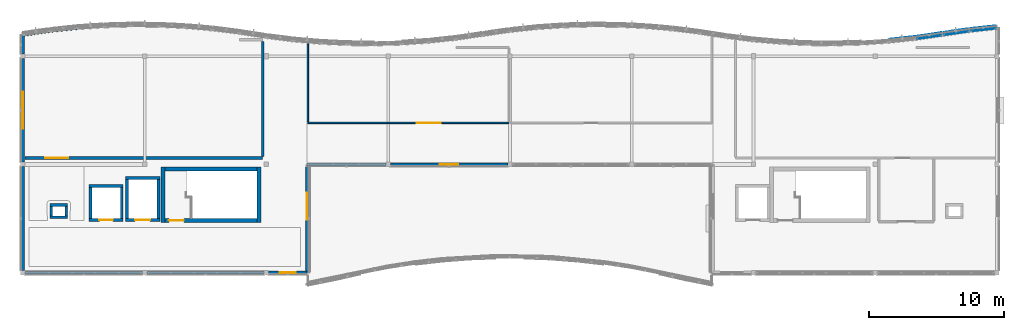
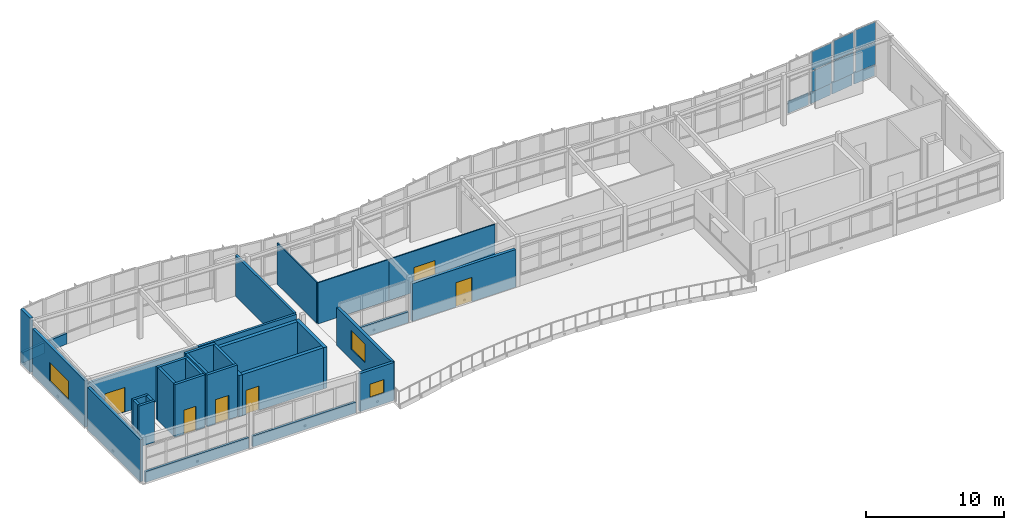
# One storey, part 13 of 20: 33 walls, 10 plates, 6 doors, 3 windows, 9 openings, 3 elements without a shape of their own.
"""IFC4 building model written with IfcOpenShell, lengths in metres."""

from ifc_helpers import new_model, si_unit, direction, frame, frame_2d, origin, origin_2d, place, context, subcontext, project, spatial, rectangle, extrude, material, layer, layer_set, type_object, element, fill, aggregate, save


model = new_model("IFC4")

# Units and contexts
model_context = context("Model", 3, precision=1e-05, world=origin(), true_north=direction((0.0, 1.0)))
body_context = subcontext(model_context, "Body", "Model", "MODEL_VIEW")
ifc_project = project(units=[si_unit("LENGTHUNIT", "METRE"), si_unit("AREAUNIT", "SQUARE_METRE"), si_unit("VOLUMEUNIT", "CUBIC_METRE"), si_unit("PLANEANGLEUNIT", "RADIAN"), si_unit("MASSUNIT", "GRAM", prefix="KILO")], contexts=[model_context])

# Site, building, storey
site_placement = place(None, origin())
site = spatial("IfcSite", under=ifc_project, at=site_placement, CompositionType="ELEMENT")
building_placement = place(site_placement, origin())
building = spatial("IfcBuilding", under=site, at=building_placement, Name="Tonlespit Floodbar School", CompositionType="ELEMENT")
storey_placement = place(building_placement, frame((0.0, 0.0, 20.10009765625)))
storey = spatial("IfcBuildingStorey", under=building, at=storey_placement, Name="L05", CompositionType="ELEMENT", Elevation=20.10009765625)

# Curtain wall, plates
ifc_material_1 = material(Name="Anodised Aluminium", Category="aluminium")
ifc_layer_1 = layer(ifc_material_1, 0.159912109375)
ifc_layer_set_1 = layer_set([ifc_layer_1], Name="Anodised Aluminium")
curtain_wall_type_1 = type_object("IfcCurtainWallType", Name="CurtainWall_1950x3700", PredefinedType="NOTDEFINED", material=ifc_layer_set_1)
curtain_wall_1_placement = place(storey_placement, origin())
curtain_wall_1 = element("IfcCurtainWall", 1, at=curtain_wall_1_placement, inside=storey, type_object=curtain_wall_type_1, Name="L05 unitised curtain wall 0241", PredefinedType="NOTDEFINED")
ifc_material_2 = material(Name="Laminated Low-E Glass", Category="glass")
ifc_layer_2 = layer(ifc_material_2, 0.028076171875)
ifc_layer_set_2 = layer_set([ifc_layer_2], Name="Laminated Low-E Glass")
plate_type_1 = type_object("IfcPlateType", Name="CW_Panel_Glaz_28", PredefinedType="CURTAIN_PANEL", material=ifc_layer_set_2)
plate_1_placement = place(storey_placement, frame((111.0, 121.404296875, 1.01513671875), z_axis=(0.0, 0.0, 1.0), x_axis=(0.989541561858, 0.144248041079, 0.0)))
plate_1 = element("IfcPlate", 2, at=plate_1_placement, type_object=plate_type_1, Name="CW-22 panel 1.1", PredefinedType="CURTAIN_PANEL", context=body_context, shape_type="SweptSolid", body=[
    extrude(rectangle(XDim=1.81103515625, YDim=0.028076171875, at=origin_2d()), origin(), (0.0, 0.0, 1.0), 1.835205078125),
])
plate_2_placement = place(storey_placement, frame((111.0, 121.404296875, 2.915283203125), z_axis=(0.0, 0.0, 1.0), x_axis=(0.989541561858, 0.144248041079, 0.0)))
plate_2 = element("IfcPlate", 3, at=plate_2_placement, type_object=plate_type_1, Name="CW-22 panel 1.2", PredefinedType="CURTAIN_PANEL", context=body_context, shape_type="SweptSolid", body=[
    extrude(rectangle(XDim=1.81103515625, YDim=0.028076171875, at=origin_2d()), origin(), (0.0, 0.0, 1.0), 1.6865234375),
])
aggregate(curtain_wall_1, [plate_1, plate_2])

ifc_layer_3 = layer(ifc_material_1, 0.159912109375)
ifc_layer_set_3 = layer_set([ifc_layer_3], Name="Anodised Aluminium")
curtain_wall_type_2 = type_object("IfcCurtainWallType", Name="CurtainWall_1950x3800", PredefinedType="NOTDEFINED", material=ifc_layer_set_3)
curtain_wall_2_placement = place(storey_placement, origin())
curtain_wall_2 = element("IfcCurtainWall", 4, at=curtain_wall_2_placement, inside=storey, type_object=curtain_wall_type_2, Name="L05 unitised curtain wall 0242", PredefinedType="NOTDEFINED")
ifc_layer_4 = layer(ifc_material_2, 0.031982421875)
ifc_layer_set_4 = layer_set([ifc_layer_4], Name="Laminated Low-E Glass")
plate_type_2 = type_object("IfcPlateType", Name="CW_Panel_Glaz_32", PredefinedType="CURTAIN_PANEL", material=ifc_layer_set_4)
plate_3_placement = place(storey_placement, frame((113.0, 121.69580078125, 1.014892578125), z_axis=(0.0, 0.0, 1.0), x_axis=(0.989541561858, 0.144248041079, 0.0)))
plate_3 = element("IfcPlate", 5, at=plate_3_placement, type_object=plate_type_2, Name="CW-10 panel 1.1", PredefinedType="CURTAIN_PANEL", context=body_context, shape_type="SweptSolid", body=[
    extrude(rectangle(XDim=1.81103515625, YDim=0.031982421875, at=origin_2d()), origin(), (0.0, 0.0, 1.0), 1.8798828125),
])
plate_4_placement = place(storey_placement, frame((113.0, 121.69580078125, 2.9599609375), z_axis=(0.0, 0.0, 1.0), x_axis=(0.989541561858, 0.144248041079, 0.0)))
plate_4 = element("IfcPlate", 6, at=plate_4_placement, type_object=plate_type_2, Name="CW-10 panel 1.2", PredefinedType="CURTAIN_PANEL", context=body_context, shape_type="SweptSolid", body=[
    extrude(rectangle(XDim=1.81103515625, YDim=0.031982421875, at=origin_2d()), origin(), (0.0, 0.0, 1.0), 1.727783203125),
])
aggregate(curtain_wall_2, [plate_3, plate_4])

ifc_layer_5 = layer(ifc_material_1, 0.159912109375)
ifc_layer_set_5 = layer_set([ifc_layer_5], Name="Anodised Aluminium")
curtain_wall_type_3 = type_object("IfcCurtainWallType", Name="CurtainWall_1950x3900", PredefinedType="NOTDEFINED", material=ifc_layer_set_5)
curtain_wall_3_placement = place(storey_placement, origin())
curtain_wall_3 = element("IfcCurtainWall", 7, at=curtain_wall_3_placement, inside=storey, type_object=curtain_wall_type_3, Name="L05 unitised curtain wall 0243", PredefinedType="NOTDEFINED")
ifc_layer_6 = layer(ifc_material_2, 0.035888671875)
ifc_layer_set_6 = layer_set([ifc_layer_6], Name="Laminated Low-E Glass")
plate_type_3 = type_object("IfcPlateType", Name="CW_Panel_Glaz_36", PredefinedType="CURTAIN_PANEL", material=ifc_layer_set_6)
plate_5_placement = place(storey_placement, frame((115.0, 121.947998046875, 1.014892578125), z_axis=(0.0, 0.0, 1.0), x_axis=(0.994388797288, 0.105787143968, 0.0)))
plate_5 = element("IfcPlate", 8, at=plate_5_placement, type_object=plate_type_3, Name="CW-27 panel 1.1", PredefinedType="CURTAIN_PANEL", context=body_context, shape_type="SweptSolid", body=[
    extrude(rectangle(XDim=1.80126953125, YDim=0.035888671875, at=origin_2d()), origin(), (0.0, 0.0, 1.0), 1.9248046875),
])
plate_6_placement = place(storey_placement, frame((115.0, 121.947998046875, 3.004638671875), z_axis=(0.0, 0.0, 1.0), x_axis=(0.994388797288, 0.105787143968, 0.0)))
plate_6 = element("IfcPlate", 9, at=plate_6_placement, type_object=plate_type_3, Name="CW-27 panel 1.2", PredefinedType="CURTAIN_PANEL", context=body_context, shape_type="SweptSolid", body=[
    extrude(rectangle(XDim=1.80126953125, YDim=0.035888671875, at=origin_2d()), origin(), (0.0, 0.0, 1.0), 1.76904296875),
])
aggregate(curtain_wall_3, [plate_5, plate_6])

# Plates
ifc_material_3 = material(Name="White Architectural Aluminium", Category="aluminium")
ifc_layer_7 = layer(ifc_material_3, 0.06494140625)
ifc_layer_set_7 = layer_set([ifc_layer_7], Name="White Architectural Aluminium")
plate_type_4 = type_object("IfcPlateType", Name="FacadeRibbon_White_65", PredefinedType="SHEET", material=ifc_layer_set_7)
plate_7_placement = place(storey_placement, frame((108.980712890625, 121.3330078125, -0.1201171875), z_axis=(0.0, 0.0, 1.0), x_axis=(0.99439234017, 0.105753835922, 0.0)))
element("IfcPlate", 10, at=plate_7_placement, inside=storey, type_object=plate_type_4, Name="L05 flowing white street spandrel ribbon 0444", PredefinedType="SHEET", context=body_context, shape_type="SweptSolid", body=[
    extrude(rectangle(XDim=1.851318359375, YDim=0.06494140625, at=origin_2d()), origin(), (0.0, 0.0, 1.0), 1.070068359375),
])
for number, where, z_axis, x_axis, name in (
    (11, (110.9736328125, 121.584228515625, -0.1201171875), (0.0, 0.0, 1.0), (0.989537627347, 0.144275029245, 0.0), "L05 flowing white street spandrel ribbon 0446"),
    (12, (112.9736328125, 121.8759765625, -0.1201171875), (0.0, 0.0, 1.0), (0.989537627347, 0.144275029245, 0.0), "L05 flowing white street spandrel ribbon 0448"),
):
    element("IfcPlate", number, at=place(storey_placement, frame(where, z_axis=z_axis, x_axis=x_axis)), inside=storey, type_object=plate_type_4, Name=name, PredefinedType="SHEET", context=body_context, shape_type="SweptSolid", body=[
        extrude(rectangle(XDim=1.861083984375, YDim=0.06494140625, at=origin_2d()), origin(), (0.0, 0.0, 1.0), 1.070068359375),
    ])
plate_8_placement = place(storey_placement, frame((114.980712890625, 122.12890625, -0.1201171875), z_axis=(0.0, 0.0, 1.0), x_axis=(0.99439234017, 0.105753835922, 0.0)))
element("IfcPlate", 13, at=plate_8_placement, inside=storey, type_object=plate_type_4, Name="L05 flowing white street spandrel ribbon 0450", PredefinedType="SHEET", context=body_context, shape_type="SweptSolid", body=[
    extrude(rectangle(XDim=1.851318359375, YDim=0.06494140625, at=origin_2d()), origin(), (0.0, 0.0, 1.0), 1.070068359375),
])

# Walls
ifc_material_4 = material(Name="Concrete C40/50", Category="concrete")
ifc_layer_8 = layer(ifc_material_4, 0.300048828125)
ifc_layer_set_8 = layer_set([ifc_layer_8], Name="Concrete C40/50")
wall_type_1 = type_object("IfcWallType", Name="CoreWall_RC_300", PredefinedType="SHEAR", material=ifc_layer_set_8)
for number, where, z_axis, x_axis, name in (
    (14, (54.35009765625, 107.699951171875, 0.0), (0.0, 0.0, 1.0), (0.0, 1.0, 0.0), "L05 core C1 shear wall NEAR"),
    (15, (61.449951171875, 111.800048828125, 0.0), (0.0, 0.0, 1.0), (0.0, -1.0, 0.0), "L05 core C1 shear wall FAR"),
):
    element("IfcWall", number, at=place(storey_placement, frame(where, z_axis=z_axis, x_axis=x_axis)), inside=storey, type_object=wall_type_1, Name=name, PredefinedType="SHEAR", context=body_context, shape_type="SweptSolid", body=[
        extrude(rectangle(XDim=4.10009765625, YDim=0.300048828125, at=frame_2d((2.050048828125, 0.0))), origin(), (0.0, 0.0, 1.0), 3.65283203125),
    ])

# Wall, opening, door
wall_1_placement = place(storey_placement, frame((54.5, 107.85009765625, 0.0), z_axis=(0.0, 0.0, 1.0), x_axis=(1.0, 0.0, 0.0)))
wall_1 = element("IfcWall", 16, at=wall_1_placement, inside=storey, type_object=wall_type_1, Name="L05 core C1 shear wall LEFT", PredefinedType="SHEAR", context=body_context, shape_type="SweptSolid", body=[
    extrude(rectangle(XDim=6.800048828125, YDim=0.300048828125, at=frame_2d((3.39990234375, 0.0))), origin(), (0.0, 0.0, 1.0), 3.65283203125),
])
opening_1_placement = place(wall_1_placement, frame((0.300048828125, 0.0, 0.0)))
opening_1 = element("IfcOpeningElement", 17, at=opening_1_placement, cuts=wall_1, Name="Opening FD1-C1-L05", PredefinedType="OPENING", context=body_context, shape_type="SweptSolid", body=[
    extrude(rectangle(XDim=1.10009765625, YDim=2.14990234375, at=frame_2d((0.550048828125, 1.074951171875))), frame((0.0, 0.159912109375, 0.0), z_axis=(0.0, -1.0, 0.0), x_axis=(1.0, 0.0, 0.0)), (0.0, 0.0, 1.0), 0.320068359375),
])
ifc_material_5 = material(Name="Galvanised Steel", Category="steel")
door_type_1 = type_object("IfcDoorType", Name="FireDoor_Stair_1100x2150", OperationType="NOTDEFINED", PredefinedType="DOOR", material=ifc_material_5)
door_1_placement = place(opening_1_placement, origin())
door_1 = element("IfcDoor", 18, at=door_1_placement, inside=storey, type_object=door_type_1, Name="L05 stair ST-C1 fire door", OperationType="SINGLE_SWING_RIGHT", OverallHeight=2.14990234375, OverallWidth=1.10009765625, PredefinedType="DOOR", context=body_context, shape_type="SweptSolid", body=[
    extrude(rectangle(XDim=1.10009765625, YDim=2.14990234375, at=frame_2d((0.550048828125, 1.074951171875))), frame((0.0, 0.02490234375, 0.0), z_axis=(0.0, -1.0, 0.0), x_axis=(1.0, 0.0, 0.0)), (0.0, 0.0, 1.0), 0.050048828125),
])
fill(opening_1, door_1)

# Wall
wall_2_placement = place(storey_placement, frame((61.300048828125, 111.64990234375, 0.0), z_axis=(0.0, 0.0, 1.0), x_axis=(-1.0, 0.0, 0.0)))
element("IfcWall", 19, at=wall_2_placement, inside=storey, type_object=wall_type_1, Name="L05 core C1 shear wall RGHT", PredefinedType="SHEAR", context=body_context, shape_type="SweptSolid", body=[
    extrude(rectangle(XDim=6.800048828125, YDim=0.300048828125, at=frame_2d((3.39990234375, 0.0))), origin(), (0.0, 0.0, 1.0), 3.65283203125),
])

# Wall, opening, door
ifc_material_6 = material(Name="Precast concrete C40/50", Category="concrete")
ifc_layer_9 = layer(ifc_material_6, 0.239990234375)
ifc_layer_set_9 = layer_set([ifc_layer_9], Name="Precast concrete C40/50")
wall_type_2 = type_object("IfcWallType", Name="ExtWall_Rainscreen_240", PredefinedType="SOLIDWALL", material=ifc_layer_set_9)
wall_3_placement = place(storey_placement, frame((79.840087890625, 112.0, 0.0), z_axis=(0.0, 0.0, 1.0), x_axis=(-1.0, 0.0, 0.0)))
wall_3 = element("IfcWall", 20, at=wall_3_placement, inside=storey, type_object=wall_type_2, Name="L05 external wall 0278", PredefinedType="SOLIDWALL", context=body_context, shape_type="SweptSolid", body=[
    extrude(rectangle(XDim=8.68017578125, YDim=0.239990234375, at=frame_2d((4.340087890625, 0.0))), origin(), (0.0, 0.0, 1.0), 3.3505859375),
])
opening_2_placement = place(wall_3_placement, frame((3.6650390625, 0.0, 0.0)))
opening_2 = element("IfcOpeningElement", 21, at=opening_2_placement, cuts=wall_3, Name="Opening D-TR-012", PredefinedType="OPENING", context=body_context, shape_type="SweptSolid", body=[
    extrude(rectangle(XDim=1.35009765625, YDim=2.14990234375, at=frame_2d((0.675048828125, 1.074951171875))), frame((0.0, 0.1298828125, 0.0), z_axis=(0.0, -1.0, 0.0), x_axis=(1.0, 0.0, 0.0)), (0.0, 0.0, 1.0), 0.260009765625),
])
door_type_2 = type_object("IfcDoorType", Name="ExtDoor_Terrace_1350x2150", OperationType="NOTDEFINED", PredefinedType="DOOR", material=ifc_material_1)
door_2_placement = place(opening_2_placement, origin())
door_2 = element("IfcDoor", 22, at=door_2_placement, inside=storey, type_object=door_type_2, Name="L05 exterior door D-TR-012", OperationType="SINGLE_SWING_RIGHT", OverallHeight=2.14990234375, OverallWidth=1.35009765625, PredefinedType="DOOR", context=body_context, shape_type="SweptSolid", body=[
    extrude(rectangle(XDim=1.35009765625, YDim=2.14990234375, at=frame_2d((0.675048828125, 1.074951171875))), frame((0.0, 0.02490234375, 0.0), z_axis=(0.0, -1.0, 0.0), x_axis=(1.0, 0.0, 0.0)), (0.0, 0.0, 1.0), 0.050048828125),
])
fill(opening_2, door_2)

# Wall, opening, window
wall_4_placement = place(storey_placement, frame((65.0, 112.0, 0.0), z_axis=(0.0, 0.0, 1.0), x_axis=(0.0, -1.0, 0.0)))
wall_4 = element("IfcWall", 23, at=wall_4_placement, inside=storey, type_object=wall_type_2, Name="L05 external wall 0280", PredefinedType="SOLIDWALL", context=body_context, shape_type="SweptSolid", body=[
    extrude(rectangle(XDim=8.0, YDim=0.239990234375, at=frame_2d((4.0, 0.0))), origin(), (0.0, 0.0, 1.0), 3.37158203125),
])
opening_3_placement = place(wall_4_placement, frame((2.10009765625, 0.0, 0.949951171875)))
opening_3 = element("IfcOpeningElement", 24, at=opening_3_placement, cuts=wall_4, Name="Opening W-L05-013", PredefinedType="OPENING", context=body_context, shape_type="SweptSolid", body=[
    extrude(rectangle(XDim=2.0, YDim=1.64990234375, at=frame_2d((1.0, 0.824951171875))), frame((0.0, 0.1298828125, 0.0), z_axis=(0.0, -1.0, 0.0), x_axis=(1.0, 0.0, 0.0)), (0.0, 0.0, 1.0), 0.260009765625),
])
ifc_material_7 = material(Name="Tempered Double Glazing", Category="glass")
window_type_1 = type_object("IfcWindowType", Name="Win_Mod_2000x1650", PartitioningType="DOUBLE_PANEL_VERTICAL", PredefinedType="WINDOW", material=ifc_material_7)
window_1_placement = place(opening_3_placement, origin())
window_1 = element("IfcWindow", 25, at=window_1_placement, inside=storey, type_object=window_type_1, Name="L05 window W-L05-013", OverallHeight=1.64990234375, OverallWidth=2.0, PartitioningType="DOUBLE_PANEL_VERTICAL", PredefinedType="WINDOW", context=body_context, shape_type="SweptSolid", body=[
    extrude(rectangle(XDim=2.0, YDim=1.64990234375, at=frame_2d((1.0, 0.824951171875))), frame((0.0, 0.030029296875, 0.0), z_axis=(0.0, -1.0, 0.0), x_axis=(1.0, 0.0, 0.0)), (0.0, 0.0, 1.0), 0.06005859375),
])
fill(opening_3, window_1)

wall_5_placement = place(storey_placement, frame((65.0, 104.0, 0.0), z_axis=(0.0, 0.0, 1.0), x_axis=(-1.0, 0.0, 0.0)))
wall_5 = element("IfcWall", 26, at=wall_5_placement, inside=storey, type_object=wall_type_2, Name="L05 external wall 0281", PredefinedType="SOLIDWALL", context=body_context, shape_type="SweptSolid", body=[
    extrude(rectangle(XDim=2.840087890625, YDim=0.239990234375, at=frame_2d((1.419921875, 0.0))), origin(), (0.0, 0.0, 1.0), 3.37158203125),
])
opening_4_placement = place(wall_5_placement, frame((0.820068359375, 0.0, 0.949951171875)))
opening_4 = element("IfcOpeningElement", 27, at=opening_4_placement, cuts=wall_5, Name="Opening W-L05-014", PredefinedType="OPENING", context=body_context, shape_type="SweptSolid", body=[
    extrude(rectangle(XDim=1.199951171875, YDim=1.199951171875, at=frame_2d((0.60009765625, 0.60009765625))), frame((0.0, 0.1298828125, 0.0), z_axis=(0.0, -1.0, 0.0), x_axis=(1.0, 0.0, 0.0)), (0.0, 0.0, 1.0), 0.260009765625),
])
window_type_2 = type_object("IfcWindowType", Name="Win_Mod_1200x1200", PartitioningType="SINGLE_PANEL", PredefinedType="WINDOW", material=ifc_material_7)
window_2_placement = place(opening_4_placement, origin())
window_2 = element("IfcWindow", 28, at=window_2_placement, inside=storey, type_object=window_type_2, Name="L05 window W-L05-014", OverallHeight=1.199951171875, OverallWidth=1.199951171875, PartitioningType="SINGLE_PANEL", PredefinedType="WINDOW", context=body_context, shape_type="SweptSolid", body=[
    extrude(rectangle(XDim=1.199951171875, YDim=1.199951171875, at=frame_2d((0.60009765625, 0.60009765625))), frame((0.0, 0.030029296875, 0.0), z_axis=(0.0, -1.0, 0.0), x_axis=(1.0, 0.0, 0.0)), (0.0, 0.0, 1.0), 0.06005859375),
])
fill(opening_4, window_2)

# Wall
wall_6_placement = place(storey_placement, frame((44.0, 104.159912109375, 0.0), z_axis=(0.0, 0.0, 1.0), x_axis=(0.0, 1.0, 0.0)))
element("IfcWall", 29, at=wall_6_placement, inside=storey, type_object=wall_type_2, Name="L05 external wall 0284", PredefinedType="SOLIDWALL", context=body_context, shape_type="SweptSolid", body=[
    extrude(rectangle(XDim=7.68017578125, YDim=0.239990234375, at=frame_2d((3.840087890625, 0.0))), origin(), (0.0, 0.0, 1.0), 3.73974609375),
])

# Wall, opening, window
wall_7_placement = place(storey_placement, frame((44.0, 112.159912109375, 0.0), z_axis=(0.0, 0.0, 1.0), x_axis=(0.0, 1.0, 0.0)))
wall_7 = element("IfcWall", 30, at=wall_7_placement, inside=storey, type_object=wall_type_2, Name="L05 external wall 0285", PredefinedType="SOLIDWALL", context=body_context, shape_type="SweptSolid", body=[
    extrude(rectangle(XDim=7.68017578125, YDim=0.239990234375, at=frame_2d((3.840087890625, 0.0))), origin(), (0.0, 0.0, 1.0), 4.0849609375),
])
opening_5_placement = place(wall_7_placement, frame((2.465087890625, 0.0, 0.949951171875)))
opening_5 = element("IfcOpeningElement", 31, at=opening_5_placement, cuts=wall_7, Name="Opening W-L05-016", PredefinedType="OPENING", context=body_context, shape_type="SweptSolid", body=[
    extrude(rectangle(XDim=2.75, YDim=1.64990234375, at=frame_2d((1.375, 0.824951171875))), frame((0.0, 0.1298828125, 0.0), z_axis=(0.0, -1.0, 0.0), x_axis=(1.0, 0.0, 0.0)), (0.0, 0.0, 1.0), 0.260009765625),
])
window_type_3 = type_object("IfcWindowType", Name="Win_Mod_2750x1650", PartitioningType="DOUBLE_PANEL_VERTICAL", PredefinedType="WINDOW", material=ifc_material_7)
window_3_placement = place(opening_5_placement, origin())
window_3 = element("IfcWindow", 32, at=window_3_placement, inside=storey, type_object=window_type_3, Name="L05 window W-L05-016", OverallHeight=1.64990234375, OverallWidth=2.75, PartitioningType="DOUBLE_PANEL_VERTICAL", PredefinedType="WINDOW", context=body_context, shape_type="SweptSolid", body=[
    extrude(rectangle(XDim=2.75, YDim=1.64990234375, at=frame_2d((1.375, 0.824951171875))), frame((0.0, 0.030029296875, 0.0), z_axis=(0.0, -1.0, 0.0), x_axis=(1.0, 0.0, 0.0)), (0.0, 0.0, 1.0), 0.06005859375),
])
fill(opening_5, window_3)

# Walls
wall_8_placement = place(storey_placement, frame((44.0, 120.159912109375, 0.0), z_axis=(0.0, 0.0, 1.0), x_axis=(0.0, 1.0, 0.0)))
element("IfcWall", 33, at=wall_8_placement, inside=storey, type_object=wall_type_2, Name="L05 external wall 0286", PredefinedType="SOLIDWALL", context=body_context, shape_type="SweptSolid", body=[
    extrude(rectangle(XDim=1.39013671875, YDim=0.239990234375, at=frame_2d((0.695068359375, 0.0))), origin(), (0.0, 0.0, 1.0), 4.8134765625),
])
ifc_material_8 = material(Name="White Architectural Precast concrete C40/50", Category="concrete")
ifc_layer_10 = layer(ifc_material_8, 0.199951171875)
ifc_layer_set_10 = layer_set([ifc_layer_10], Name="White Architectural Precast concrete C40/50")
wall_type_3 = type_object("IfcWallType", Name="ExtWall_Spandrel_White_200", PredefinedType="SOLIDWALL", material=ifc_layer_set_10)
wall_9_placement = place(storey_placement, frame((44.0, 121.550048828125, 0.0), z_axis=(0.0, 0.0, 1.0), x_axis=(0.989544477223, 0.144228040259, 0.0)))
element("IfcWall", 34, at=wall_9_placement, inside=storey, type_object=wall_type_3, Name="L05 spandrel wall 0236", PredefinedType="SOLIDWALL", context=body_context, shape_type="SweptSolid", body=[
    extrude(rectangle(XDim=2.021240234375, YDim=0.199951171875, at=frame_2d((1.0107421875, 0.0))), origin(), (0.0, 0.0, 1.0), 0.949951171875),
])
wall_10_placement = place(storey_placement, frame((46.0, 121.841552734375, 0.0), z_axis=(0.0, 0.0, 1.0), x_axis=(0.994395160059, 0.105727317433, 0.0)))
element("IfcWall", 35, at=wall_10_placement, inside=storey, type_object=wall_type_3, Name="L05 spandrel wall 0237", PredefinedType="SOLIDWALL", context=body_context, shape_type="SweptSolid", body=[
    extrude(rectangle(XDim=2.01123046875, YDim=0.199951171875, at=frame_2d((1.005615234375, 0.0))), origin(), (0.0, 0.0, 1.0), 0.949951171875),
])
wall_11_placement = place(storey_placement, frame((70.840087890625, 112.0, 0.0), z_axis=(0.0, 0.0, 1.0), x_axis=(-1.0, 0.0, 0.0)))
element("IfcWall", 36, at=wall_11_placement, inside=storey, type_object=wall_type_3, Name="L05 spandrel wall 0279", PredefinedType="SOLIDWALL", context=body_context, shape_type="SweptSolid", body=[
    extrude(rectangle(XDim=5.840087890625, YDim=0.199951171875, at=frame_2d((2.919921875, 0.0))), origin(), (0.0, 0.0, 1.0), 0.949951171875),
])
for number, where, z_axis, x_axis, name in (
    (37, (61.840087890625, 104.0, 0.0), (0.0, 0.0, 1.0), (-1.0, 0.0, 0.0), "L05 spandrel wall 0282"),
    (38, (52.840087890625, 104.0, 0.0), (0.0, 0.0, 1.0), (-1.0, 0.0, 0.0), "L05 spandrel wall 0283"),
):
    element("IfcWall", number, at=place(storey_placement, frame(where, z_axis=z_axis, x_axis=x_axis)), inside=storey, type_object=wall_type_3, Name=name, PredefinedType="SOLIDWALL", context=body_context, shape_type="SweptSolid", body=[
        extrude(rectangle(XDim=8.68017578125, YDim=0.199951171875, at=frame_2d((4.340087890625, 0.0))), origin(), (0.0, 0.0, 1.0), 0.949951171875),
    ])
ifc_layer_11 = layer(ifc_material_4, 0.199951171875)
ifc_layer_set_11 = layer_set([ifc_layer_11], Name="Concrete C40/50")
wall_type_4 = type_object("IfcWallType", Name="FireWall_Plant_200", PredefinedType="PARTITIONING", material=ifc_layer_set_11)
for number, where, z_axis, x_axis, name in (
    (39, (47.300048828125, 108.10009765625, 0.0), (0.0, 0.0, 1.0), (-1.0, 0.0, 0.0), "L05 service riser 01 wall S"),
    (40, (46.0, 109.0, 0.0), (0.0, 0.0, 1.0), (1.0, 0.0, 0.0), "L05 service riser 01 wall N"),
):
    element("IfcWall", number, at=place(storey_placement, frame(where, z_axis=z_axis, x_axis=x_axis)), inside=storey, type_object=wall_type_4, Name=name, PredefinedType="PARTITIONING", context=body_context, shape_type="SweptSolid", body=[
        extrude(rectangle(XDim=1.300048828125, YDim=0.199951171875, at=frame_2d((0.64990234375, 0.0))), origin(), (0.0, 0.0, 1.0), 3.64990234375),
    ])
for number, where, z_axis, x_axis, name in (
    (41, (46.10009765625, 108.199951171875, 0.0), (0.0, 0.0, 1.0), (0.0, 1.0, 0.0), "L05 service riser 01 wall W"),
    (42, (47.199951171875, 108.89990234375, 0.0), (0.0, 0.0, 1.0), (0.0, -1.0, 0.0), "L05 service riser 01 wall E"),
):
    element("IfcWall", number, at=place(storey_placement, frame(where, z_axis=z_axis, x_axis=x_axis)), inside=storey, type_object=wall_type_4, Name=name, PredefinedType="PARTITIONING", context=body_context, shape_type="SweptSolid", body=[
        extrude(rectangle(XDim=0.699951171875, YDim=0.199951171875, at=frame_2d((0.35009765625, 0.0))), origin(), (0.0, 0.0, 1.0), 3.64990234375),
    ])
ifc_material_9 = material(Name="Gypsum Plasterboard Partition")
ifc_layer_12 = layer(ifc_material_9, 0.10009765625)
ifc_layer_set_12 = layer_set([ifc_layer_12], Name="Gypsum Plasterboard Partition")
wall_type_5 = type_object("IfcWallType", Name="Partition_Gyp_100", PredefinedType="PARTITIONING", material=ifc_layer_set_12)
wall_12_placement = place(storey_placement, frame((65.070068359375, 115.070068359375, 0.0), z_axis=(0.0, 0.0, 1.0), x_axis=(1.0, 0.0, 0.0)))
element("IfcWall", 43, at=wall_12_placement, inside=storey, type_object=wall_type_5, Name="L05 partition wall 0134", PredefinedType="PARTITIONING", context=body_context, shape_type="SweptSolid", body=[
    extrude(rectangle(XDim=5.929931640625, YDim=0.10009765625, at=frame_2d((2.96484375, 0.0))), origin(), (0.0, 0.0, 1.0), 3.64990234375),
])

# Wall, opening, door
wall_13_placement = place(storey_placement, frame((71.0, 115.070068359375, 0.0), z_axis=(0.0, 0.0, 1.0), x_axis=(1.0, 0.0, 0.0)))
wall_13 = element("IfcWall", 44, at=wall_13_placement, inside=storey, type_object=wall_type_5, Name="L05 partition wall 0135", PredefinedType="PARTITIONING", context=body_context, shape_type="SweptSolid", body=[
    extrude(rectangle(XDim=8.929931640625, YDim=0.10009765625, at=frame_2d((4.46484375, 0.0))), origin(), (0.0, 0.0, 1.0), 3.64990234375),
])
opening_6_placement = place(wall_13_placement, frame((2.1201171875, 0.0, 0.0)))
opening_6 = element("IfcOpeningElement", 45, at=opening_6_placement, cuts=wall_13, Name="Opening D-L05-043", PredefinedType="OPENING", context=body_context, shape_type="SweptSolid", body=[
    extrude(rectangle(XDim=1.760009765625, YDim=2.199951171875, at=frame_2d((0.8798828125, 1.10009765625))), frame((0.0, 0.06005859375, 0.0), z_axis=(0.0, -1.0, 0.0), x_axis=(1.0, 0.0, 0.0)), (0.0, 0.0, 1.0), 0.1201171875),
])
ifc_material_10 = material(Name="Hardwood Timber", Category="wood")
door_type_3 = type_object("IfcDoorType", Name="IntDoor_1760x2200", OperationType="NOTDEFINED", PredefinedType="DOOR", material=ifc_material_10)
door_3_placement = place(opening_6_placement, origin())
door_3 = element("IfcDoor", 46, at=door_3_placement, inside=storey, type_object=door_type_3, Name="L05 interior door D-L05-043", OperationType="SINGLE_SWING_RIGHT", OverallHeight=2.199951171875, OverallWidth=1.760009765625, PredefinedType="DOOR", context=body_context, shape_type="SweptSolid", body=[
    extrude(rectangle(XDim=1.760009765625, YDim=2.199951171875, at=frame_2d((0.8798828125, 1.10009765625))), frame((0.0, 0.02490234375, 0.0), z_axis=(0.0, -1.0, 0.0), x_axis=(1.0, 0.0, 0.0)), (0.0, 0.0, 1.0), 0.050048828125),
])
fill(opening_6, door_3)

# Wall
wall_14_placement = place(storey_placement, frame((65.070068359375, 115.135009765625, 0.0), z_axis=(0.0, 0.0, 1.0), x_axis=(0.0, 1.0, 0.0)))
element("IfcWall", 47, at=wall_14_placement, inside=storey, type_object=wall_type_5, Name="L05 partition wall 0137", PredefinedType="PARTITIONING", context=body_context, shape_type="SweptSolid", body=[
    extrude(rectangle(XDim=5.772216796875, YDim=0.10009765625, at=frame_2d((2.88623046875, 0.0))), origin(), (0.0, 0.0, 1.0), 3.64990234375),
])

# Wall, opening, door
ifc_layer_13 = layer(ifc_material_9, 0.195068359375)
ifc_layer_set_13 = layer_set([ifc_layer_13], Name="Gypsum Plasterboard Partition")
wall_type_6 = type_object("IfcWallType", Name="Partition_Gyp_195", PredefinedType="PARTITIONING", material=ifc_layer_set_13)
wall_15_placement = place(storey_placement, frame((44.162109375, 112.469970703125, 0.0), z_axis=(0.0, 0.0, 1.0), x_axis=(1.0, 0.0, 0.0)))
wall_15 = element("IfcWall", 48, at=wall_15_placement, inside=storey, type_object=wall_type_6, Name="L05 partition wall 0130", PredefinedType="PARTITIONING", context=body_context, shape_type="SweptSolid", body=[
    extrude(rectangle(XDim=8.837890625, YDim=0.195068359375, at=frame_2d((4.4189453125, 0.0))), origin(), (0.0, 0.0, 1.0), 3.64990234375),
])
opening_7_placement = place(wall_15_placement, frame((1.5, 0.0, 0.0)))
opening_7 = element("IfcOpeningElement", 49, at=opening_7_placement, cuts=wall_15, Name="Opening D-L05-042", PredefinedType="OPENING", context=body_context, shape_type="SweptSolid", body=[
    extrude(rectangle(XDim=1.679931640625, YDim=2.199951171875, at=frame_2d((0.83984375, 1.10009765625))), frame((0.0, 0.107421875, 0.0), z_axis=(0.0, -1.0, 0.0), x_axis=(1.0, 0.0, 0.0)), (0.0, 0.0, 1.0), 0.215087890625),
])
door_type_4 = type_object("IfcDoorType", Name="IntDoor_1680x2200", OperationType="NOTDEFINED", PredefinedType="DOOR", material=ifc_material_10)
door_4_placement = place(opening_7_placement, origin())
door_4 = element("IfcDoor", 50, at=door_4_placement, inside=storey, type_object=door_type_4, Name="L05 interior door D-L05-042", OperationType="SINGLE_SWING_LEFT", OverallHeight=2.199951171875, OverallWidth=1.679931640625, PredefinedType="DOOR", context=body_context, shape_type="SweptSolid", body=[
    extrude(rectangle(XDim=1.679931640625, YDim=2.199951171875, at=frame_2d((0.83984375, 1.10009765625))), frame((0.0, 0.02490234375, 0.0), z_axis=(0.0, -1.0, 0.0), x_axis=(1.0, 0.0, 0.0)), (0.0, 0.0, 1.0), 0.050048828125),
])
fill(opening_7, door_4)

# Walls
wall_16_placement = place(storey_placement, frame((53.0, 112.469970703125, 0.0), z_axis=(0.0, 0.0, 1.0), x_axis=(1.0, 0.0, 0.0)))
element("IfcWall", 51, at=wall_16_placement, inside=storey, type_object=wall_type_6, Name="L05 partition wall 0131", PredefinedType="PARTITIONING", context=body_context, shape_type="SweptSolid", body=[
    extrude(rectangle(XDim=8.72998046875, YDim=0.195068359375, at=frame_2d((4.364990234375, 0.0))), origin(), (0.0, 0.0, 1.0), 3.64990234375),
])
wall_17_placement = place(storey_placement, frame((61.72998046875, 112.58251953125, 0.0), z_axis=(0.0, 0.0, 1.0), x_axis=(0.0, 1.0, 0.0)))
element("IfcWall", 52, at=wall_17_placement, inside=storey, type_object=wall_type_6, Name="L05 partition wall 0133", PredefinedType="PARTITIONING", context=body_context, shape_type="SweptSolid", body=[
    extrude(rectangle(XDim=8.51904296875, YDim=0.195068359375, at=frame_2d((4.259521484375, 0.0))), origin(), (0.0, 0.0, 1.0), 3.64990234375),
])

# Wall, opening, door
ifc_layer_14 = layer(ifc_material_4, 0.219970703125)
ifc_layer_set_14 = layer_set([ifc_layer_14], Name="Concrete C40/50")
wall_type_7 = type_object("IfcWallType", Name="ShaftWall_RC_220", PredefinedType="SHEAR", material=ifc_layer_set_14)
wall_18_placement = place(storey_placement, frame((54.1201171875, 107.889892578125, 0.0), z_axis=(0.0, 0.0, 1.0), x_axis=(-1.0, 0.0, 0.0)))
wall_18 = element("IfcWall", 53, at=wall_18_placement, inside=storey, type_object=wall_type_7, Name="L05 lift LF-FF1 shaft wall S", PredefinedType="SHEAR", context=body_context, shape_type="SweptSolid", body=[
    extrude(rectangle(XDim=2.5400390625, YDim=0.219970703125, at=frame_2d((1.27001953125, 0.0))), origin(), (0.0, 0.0, 1.0), 4.59130859375),
])
opening_8_placement = place(wall_18_placement, frame((0.719970703125, 0.0, 0.0)))
opening_8 = element("IfcOpeningElement", 54, at=opening_8_placement, cuts=wall_18, Name="Opening LD-LF-FF1-L05", PredefinedType="OPENING", context=body_context, shape_type="SweptSolid", body=[
    extrude(rectangle(XDim=1.10009765625, YDim=2.14990234375, at=frame_2d((0.550048828125, 1.074951171875))), frame((0.0, 0.119873046875, 0.0), z_axis=(0.0, -1.0, 0.0), x_axis=(1.0, 0.0, 0.0)), (0.0, 0.0, 1.0), 0.239990234375),
])
door_type_5 = type_object("IfcDoorType", Name="LiftDoor_FF_1100x2150", OperationType="DOUBLE_DOOR_SLIDING", PredefinedType="DOOR", material=ifc_material_5)
door_5_placement = place(opening_8_placement, origin())
door_5 = element("IfcDoor", 55, at=door_5_placement, inside=storey, type_object=door_type_5, Name="L05 lift LF-FF1 sliding landing door", OperationType="DOUBLE_DOOR_SLIDING", OverallHeight=2.14990234375, OverallWidth=1.10009765625, PredefinedType="DOOR", context=body_context, shape_type="SweptSolid", body=[
    extrude(rectangle(XDim=1.10009765625, YDim=2.14990234375, at=frame_2d((0.550048828125, 1.074951171875))), frame((0.0, 0.02490234375, 0.0), z_axis=(0.0, -1.0, 0.0), x_axis=(1.0, 0.0, 0.0)), (0.0, 0.0, 1.0), 0.050048828125),
])
fill(opening_8, door_5)

# Walls
wall_19_placement = place(storey_placement, frame((51.580078125, 111.010009765625, 0.0), z_axis=(0.0, 0.0, 1.0), x_axis=(1.0, 0.0, 0.0)))
element("IfcWall", 56, at=wall_19_placement, inside=storey, type_object=wall_type_7, Name="L05 lift LF-FF1 shaft wall N", PredefinedType="SHEAR", context=body_context, shape_type="SweptSolid", body=[
    extrude(rectangle(XDim=2.5400390625, YDim=0.219970703125, at=frame_2d((1.27001953125, 0.0))), origin(), (0.0, 0.0, 1.0), 4.59130859375),
])
for number, where, z_axis, x_axis, name in (
    (57, (51.68994140625, 108.0, 0.0), (0.0, 0.0, 1.0), (0.0, 1.0, 0.0), "L05 lift LF-FF1 shaft wall W"),
    (58, (54.010009765625, 110.89990234375, 0.0), (0.0, 0.0, 1.0), (0.0, -1.0, 0.0), "L05 lift LF-FF1 shaft wall E"),
):
    element("IfcWall", number, at=place(storey_placement, frame(where, z_axis=z_axis, x_axis=x_axis)), inside=storey, type_object=wall_type_7, Name=name, PredefinedType="SHEAR", context=body_context, shape_type="SweptSolid", body=[
        extrude(rectangle(XDim=2.89990234375, YDim=0.219970703125, at=frame_2d((1.449951171875, 0.0))), origin(), (0.0, 0.0, 1.0), 4.59130859375),
    ])

# Wall, opening, door
wall_20_placement = place(storey_placement, frame((51.419921875, 107.889892578125, 0.0), z_axis=(0.0, 0.0, 1.0), x_axis=(-1.0, 0.0, 0.0)))
wall_20 = element("IfcWall", 59, at=wall_20_placement, inside=storey, type_object=wall_type_7, Name="L05 lift LP-1 shaft wall S", PredefinedType="SHEAR", context=body_context, shape_type="SweptSolid", body=[
    extrude(rectangle(XDim=2.5400390625, YDim=0.219970703125, at=frame_2d((1.27001953125, 0.0))), origin(), (0.0, 0.0, 1.0), 4.675048828125),
])
opening_9_placement = place(wall_20_placement, frame((0.77001953125, 0.0, 0.0)))
opening_9 = element("IfcOpeningElement", 60, at=opening_9_placement, cuts=wall_20, Name="Opening LD-LP-1-L05", PredefinedType="OPENING", context=body_context, shape_type="SweptSolid", body=[
    extrude(rectangle(XDim=1.0, YDim=2.14990234375, at=frame_2d((0.5, 1.074951171875))), frame((0.0, 0.119873046875, 0.0), z_axis=(0.0, -1.0, 0.0), x_axis=(1.0, 0.0, 0.0)), (0.0, 0.0, 1.0), 0.239990234375),
])
door_type_6 = type_object("IfcDoorType", Name="LiftDoor_Pass_1000x2150", OperationType="DOUBLE_DOOR_SLIDING", PredefinedType="DOOR", material=ifc_material_1)
door_6_placement = place(opening_9_placement, origin())
door_6 = element("IfcDoor", 61, at=door_6_placement, inside=storey, type_object=door_type_6, Name="L05 lift LP-1 sliding landing door", OperationType="DOUBLE_DOOR_SLIDING", OverallHeight=2.14990234375, OverallWidth=1.0, PredefinedType="DOOR", context=body_context, shape_type="SweptSolid", body=[
    extrude(rectangle(XDim=1.0, YDim=2.14990234375, at=frame_2d((0.5, 1.074951171875))), frame((0.0, 0.02490234375, 0.0), z_axis=(0.0, -1.0, 0.0), x_axis=(1.0, 0.0, 0.0)), (0.0, 0.0, 1.0), 0.050048828125),
])
fill(opening_9, door_6)

# Walls
wall_21_placement = place(storey_placement, frame((48.8798828125, 110.409912109375, 0.0), z_axis=(0.0, 0.0, 1.0), x_axis=(1.0, 0.0, 0.0)))
element("IfcWall", 62, at=wall_21_placement, inside=storey, type_object=wall_type_7, Name="L05 lift LP-1 shaft wall N", PredefinedType="SHEAR", context=body_context, shape_type="SweptSolid", body=[
    extrude(rectangle(XDim=2.5400390625, YDim=0.219970703125, at=frame_2d((1.27001953125, 0.0))), origin(), (0.0, 0.0, 1.0), 4.675048828125),
])
for number, where, z_axis, x_axis, name in (
    (63, (48.989990234375, 108.0, 0.0), (0.0, 0.0, 1.0), (0.0, 1.0, 0.0), "L05 lift LP-1 shaft wall W"),
    (64, (51.31005859375, 110.300048828125, 0.0), (0.0, 0.0, 1.0), (0.0, -1.0, 0.0), "L05 lift LP-1 shaft wall E"),
):
    element("IfcWall", number, at=place(storey_placement, frame(where, z_axis=z_axis, x_axis=x_axis)), inside=storey, type_object=wall_type_7, Name=name, PredefinedType="SHEAR", context=body_context, shape_type="SweptSolid", body=[
        extrude(rectangle(XDim=2.300048828125, YDim=0.219970703125, at=frame_2d((1.14990234375, 0.0))), origin(), (0.0, 0.0, 1.0), 4.675048828125),
    ])

save(model, "model.ifc")
